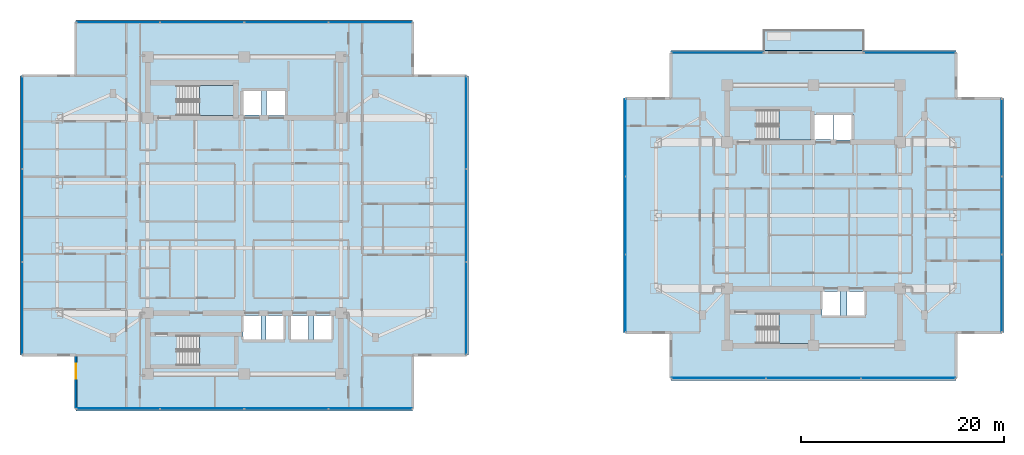
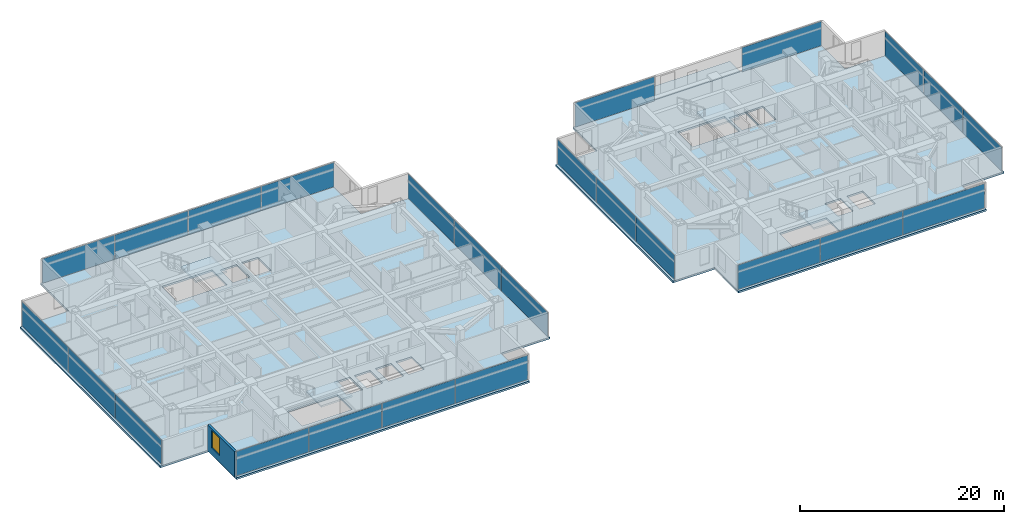
# One storey, part 12 of 24: 25 plates, 7 slabs, 1 wall, 1 window, 1 opening, 13 elements without a shape of their own.
"""IFC4 building model written with IfcOpenShell, lengths in metres."""

from ifc_helpers import new_model, si_unit, direction, frame, frame_2d, origin, origin_2d, place, context, subcontext, project, spatial, polyline, rectangle, outline, extrude, material, layer, layer_set, type_object, element, fill, aggregate, save


model = new_model("IFC4")

# Units and contexts
model_context = context("Model", 3, precision=1e-05, world=origin(), true_north=direction((0.0, 1.0)))
body_context = subcontext(model_context, "Body", "Model", "MODEL_VIEW")
ifc_project = project(units=[si_unit("LENGTHUNIT", "METRE"), si_unit("AREAUNIT", "SQUARE_METRE"), si_unit("VOLUMEUNIT", "CUBIC_METRE"), si_unit("PLANEANGLEUNIT", "RADIAN"), si_unit("MASSUNIT", "GRAM", prefix="KILO")], contexts=[model_context])

# Site, building, storey
site_placement = place(None, origin())
site = spatial("IfcSite", under=ifc_project, at=site_placement, CompositionType="ELEMENT")
building_placement = place(site_placement, origin())
building = spatial("IfcBuilding", under=site, at=building_placement, Name="Mirazonda Arch Towers", CompositionType="ELEMENT")
storey_placement = place(building_placement, frame((0.0, 0.0, 141.199951171875)))
storey = spatial("IfcBuildingStorey", under=building, at=storey_placement, Name="L40", CompositionType="ELEMENT", Elevation=141.199951171875)

# Curtain wall, plates
ifc_material_1 = material(Name="Anodised Aluminium and Low-E Glass", Category="aluminium")
curtain_wall_type = type_object("IfcCurtainWallType", Name="CW-HTL-UNIT", PredefinedType="NOTDEFINED", material=ifc_material_1)
curtain_wall_1_placement = place(storey_placement, origin())
curtain_wall_1 = element("IfcCurtainWall", 1, at=curtain_wall_1_placement, inside=storey, type_object=curtain_wall_type, Name="L40 T1 S Facade CW-L40-T1-S", PredefinedType="NOTDEFINED")
ifc_material_2 = material(Name="Insulated Low-E Solar Glass", Category="glass")
ifc_layer_1 = layer(ifc_material_2, 0.035888671875, Name="PAN-CW-HTL-UNIT")
ifc_layer_set_1 = layer_set([ifc_layer_1], Name="Insulated Low-E Solar Glass")
plate_type = type_object("IfcPlateType", Name="PAN-CW-HTL-UNIT", PredefinedType="CURTAIN_PANEL", material=ifc_layer_set_1)
plate_1_placement = place(storey_placement, frame((32.90869140625, 8.993896484375, 0.0751953125), z_axis=(0.0, 0.0, 1.0), x_axis=(-1.0, 0.0, 0.0)))
plate_1 = element("IfcPlate", 2, at=plate_1_placement, type_object=plate_type, Name="CW-112 panel 1.1", PredefinedType="CURTAIN_PANEL", context=body_context, shape_type="SweptSolid", body=[
    extrude(rectangle(XDim=8.172607421875, YDim=0.035888671875, at=origin_2d()), origin(), (0.0, 0.0, 1.0), 2.909912109375),
])
plate_2_placement = place(storey_placement, frame((24.642578125, 8.993896484375, 0.0751953125), z_axis=(0.0, 0.0, 1.0), x_axis=(-1.0, 0.0, 0.0)))
plate_2 = element("IfcPlate", 3, at=plate_2_placement, type_object=plate_type, Name="CW-112 panel 2.1", PredefinedType="CURTAIN_PANEL", context=body_context, shape_type="SweptSolid", body=[
    extrude(rectangle(XDim=8.2099609375, YDim=0.035888671875, at=origin_2d()), origin(), (0.0, 0.0, 1.0), 2.909912109375),
])
plate_3_placement = place(storey_placement, frame((16.357421875, 8.993896484375, 0.0751953125), z_axis=(0.0, 0.0, 1.0), x_axis=(-1.0, 0.0, 0.0)))
plate_3 = element("IfcPlate", 4, at=plate_3_placement, type_object=plate_type, Name="CW-112 panel 3.1", PredefinedType="CURTAIN_PANEL", context=body_context, shape_type="SweptSolid", body=[
    extrude(rectangle(XDim=8.2099609375, YDim=0.035888671875, at=origin_2d()), origin(), (0.0, 0.0, 1.0), 2.909912109375),
])
plate_4_placement = place(storey_placement, frame((8.09130859375, 8.993896484375, 0.0751953125), z_axis=(0.0, 0.0, 1.0), x_axis=(-1.0, 0.0, 0.0)))
plate_4 = element("IfcPlate", 5, at=plate_4_placement, type_object=plate_type, Name="CW-112 panel 4.1", PredefinedType="CURTAIN_PANEL", context=body_context, shape_type="SweptSolid", body=[
    extrude(rectangle(XDim=8.172607421875, YDim=0.035888671875, at=origin_2d()), origin(), (0.0, 0.0, 1.0), 2.909912109375),
])
aggregate(curtain_wall_1, [plate_1, plate_2, plate_3, plate_4])

curtain_wall_2_placement = place(storey_placement, origin())
curtain_wall_2 = element("IfcCurtainWall", 6, at=curtain_wall_2_placement, inside=storey, type_object=curtain_wall_type, Name="L40 T1 E Facade CW-L40-T1-E", PredefinedType="NOTDEFINED")
plate_5_placement = place(storey_placement, frame((42.340087890625, 18.861328125, 0.0751953125), z_axis=(0.0, 0.0, 1.0), x_axis=(0.0, 1.0, 0.0)))
plate_5 = element("IfcPlate", 7, at=plate_5_placement, type_object=plate_type, Name="CW-112 panel 1.1", PredefinedType="CURTAIN_PANEL", context=body_context, shape_type="SweptSolid", body=[
    extrude(rectangle(XDim=9.044921875, YDim=0.035888671875, at=origin_2d()), origin(), (0.0, 0.0, 1.0), 2.909912109375),
])
plate_6_placement = place(storey_placement, frame((42.340087890625, 28.0, 0.0751953125), z_axis=(0.0, 0.0, 1.0), x_axis=(0.0, 1.0, 0.0)))
plate_6 = element("IfcPlate", 8, at=plate_6_placement, type_object=plate_type, Name="CW-112 panel 2.1", PredefinedType="CURTAIN_PANEL", context=body_context, shape_type="SweptSolid", body=[
    extrude(rectangle(XDim=9.082275390625, YDim=0.035888671875, at=origin_2d()), origin(), (0.0, 0.0, 1.0), 2.909912109375),
])
plate_7_placement = place(storey_placement, frame((42.340087890625, 37.138671875, 0.0751953125), z_axis=(0.0, 0.0, 1.0), x_axis=(0.0, 1.0, 0.0)))
plate_7 = element("IfcPlate", 9, at=plate_7_placement, type_object=plate_type, Name="CW-112 panel 3.1", PredefinedType="CURTAIN_PANEL", context=body_context, shape_type="SweptSolid", body=[
    extrude(rectangle(XDim=9.044921875, YDim=0.035888671875, at=origin_2d()), origin(), (0.0, 0.0, 1.0), 2.909912109375),
])
aggregate(curtain_wall_2, [plate_5, plate_6, plate_7])

curtain_wall_3_placement = place(storey_placement, origin())
curtain_wall_3 = element("IfcCurtainWall", 10, at=curtain_wall_3_placement, inside=storey, type_object=curtain_wall_type, Name="L40 T1 N Facade CW-L40-T1-N", PredefinedType="NOTDEFINED")
plate_8_placement = place(storey_placement, frame((8.09130859375, 47.006103515625, 0.0751953125), z_axis=(0.0, 0.0, 1.0), x_axis=(1.0, 0.0, 0.0)))
plate_8 = element("IfcPlate", 11, at=plate_8_placement, type_object=plate_type, Name="CW-112 panel 1.1", PredefinedType="CURTAIN_PANEL", context=body_context, shape_type="SweptSolid", body=[
    extrude(rectangle(XDim=8.172607421875, YDim=0.035888671875, at=origin_2d()), origin(), (0.0, 0.0, 1.0), 2.909912109375),
])
plate_9_placement = place(storey_placement, frame((16.357421875, 47.006103515625, 0.0751953125), z_axis=(0.0, 0.0, 1.0), x_axis=(1.0, 0.0, 0.0)))
plate_9 = element("IfcPlate", 12, at=plate_9_placement, type_object=plate_type, Name="CW-112 panel 2.1", PredefinedType="CURTAIN_PANEL", context=body_context, shape_type="SweptSolid", body=[
    extrude(rectangle(XDim=8.2099609375, YDim=0.035888671875, at=origin_2d()), origin(), (0.0, 0.0, 1.0), 2.909912109375),
])
plate_10_placement = place(storey_placement, frame((24.642578125, 47.006103515625, 0.0751953125), z_axis=(0.0, 0.0, 1.0), x_axis=(1.0, 0.0, 0.0)))
plate_10 = element("IfcPlate", 13, at=plate_10_placement, type_object=plate_type, Name="CW-112 panel 3.1", PredefinedType="CURTAIN_PANEL", context=body_context, shape_type="SweptSolid", body=[
    extrude(rectangle(XDim=8.2099609375, YDim=0.035888671875, at=origin_2d()), origin(), (0.0, 0.0, 1.0), 2.909912109375),
])
plate_11_placement = place(storey_placement, frame((32.90869140625, 47.006103515625, 0.0751953125), z_axis=(0.0, 0.0, 1.0), x_axis=(1.0, 0.0, 0.0)))
plate_11 = element("IfcPlate", 14, at=plate_11_placement, type_object=plate_type, Name="CW-112 panel 4.1", PredefinedType="CURTAIN_PANEL", context=body_context, shape_type="SweptSolid", body=[
    extrude(rectangle(XDim=8.172607421875, YDim=0.035888671875, at=origin_2d()), origin(), (0.0, 0.0, 1.0), 2.909912109375),
])
aggregate(curtain_wall_3, [plate_8, plate_9, plate_10, plate_11])

curtain_wall_4_placement = place(storey_placement, origin())
curtain_wall_4 = element("IfcCurtainWall", 15, at=curtain_wall_4_placement, inside=storey, type_object=curtain_wall_type, Name="L40 T1 W Facade CW-L40-T1-W", PredefinedType="NOTDEFINED")
plate_12_placement = place(storey_placement, frame((-1.340087890625, 37.138671875, 0.0751953125), z_axis=(0.0, 0.0, 1.0), x_axis=(0.0, -1.0, 0.0)))
plate_12 = element("IfcPlate", 16, at=plate_12_placement, type_object=plate_type, Name="CW-112 panel 1.1", PredefinedType="CURTAIN_PANEL", context=body_context, shape_type="SweptSolid", body=[
    extrude(rectangle(XDim=9.044921875, YDim=0.035888671875, at=origin_2d()), origin(), (0.0, 0.0, 1.0), 2.909912109375),
])
plate_13_placement = place(storey_placement, frame((-1.340087890625, 28.0, 0.0751953125), z_axis=(0.0, 0.0, 1.0), x_axis=(0.0, -1.0, 0.0)))
plate_13 = element("IfcPlate", 17, at=plate_13_placement, type_object=plate_type, Name="CW-112 panel 2.1", PredefinedType="CURTAIN_PANEL", context=body_context, shape_type="SweptSolid", body=[
    extrude(rectangle(XDim=9.082275390625, YDim=0.035888671875, at=origin_2d()), origin(), (0.0, 0.0, 1.0), 2.909912109375),
])
plate_14_placement = place(storey_placement, frame((-1.340087890625, 18.861328125, 0.0751953125), z_axis=(0.0, 0.0, 1.0), x_axis=(0.0, -1.0, 0.0)))
plate_14 = element("IfcPlate", 18, at=plate_14_placement, type_object=plate_type, Name="CW-112 panel 3.1", PredefinedType="CURTAIN_PANEL", context=body_context, shape_type="SweptSolid", body=[
    extrude(rectangle(XDim=9.044921875, YDim=0.035888671875, at=origin_2d()), origin(), (0.0, 0.0, 1.0), 2.909912109375),
])
aggregate(curtain_wall_4, [plate_12, plate_13, plate_14])

curtain_wall_5_placement = place(storey_placement, origin())
curtain_wall_5 = element("IfcCurtainWall", 19, at=curtain_wall_5_placement, inside=storey, type_object=curtain_wall_type, Name="L40 T2 S Facade CW-L40-T2-S", PredefinedType="NOTDEFINED")
plate_15_placement = place(storey_placement, frame((85.830810546875, 11.997802734375, 0.0751953125), z_axis=(0.0, 0.0, 1.0), x_axis=(-1.0, 0.0, 0.0)))
plate_15 = element("IfcPlate", 20, at=plate_15_placement, type_object=plate_type, Name="CW-112 panel 1.1", PredefinedType="CURTAIN_PANEL", context=body_context, shape_type="SweptSolid", body=[
    extrude(rectangle(XDim=9.237060546875, YDim=0.035888671875, at=origin_2d()), origin(), (0.0, 0.0, 1.0), 2.909912109375),
])
plate_16_placement = place(storey_placement, frame((76.5, 11.997802734375, 0.0751953125), z_axis=(0.0, 0.0, 1.0), x_axis=(-1.0, 0.0, 0.0)))
plate_16 = element("IfcPlate", 21, at=plate_16_placement, type_object=plate_type, Name="CW-112 panel 2.1", PredefinedType="CURTAIN_PANEL", context=body_context, shape_type="SweptSolid", body=[
    extrude(rectangle(XDim=9.274658203125, YDim=0.035888671875, at=origin_2d()), origin(), (0.0, 0.0, 1.0), 2.909912109375),
])
plate_17_placement = place(storey_placement, frame((67.169189453125, 11.997802734375, 0.0751953125), z_axis=(0.0, 0.0, 1.0), x_axis=(-1.0, 0.0, 0.0)))
plate_17 = element("IfcPlate", 22, at=plate_17_placement, type_object=plate_type, Name="CW-112 panel 3.1", PredefinedType="CURTAIN_PANEL", context=body_context, shape_type="SweptSolid", body=[
    extrude(rectangle(XDim=9.237060546875, YDim=0.035888671875, at=origin_2d()), origin(), (0.0, 0.0, 1.0), 2.909912109375),
])
aggregate(curtain_wall_5, [plate_15, plate_16, plate_17])

curtain_wall_6_placement = place(storey_placement, origin())
curtain_wall_6 = element("IfcCurtainWall", 23, at=curtain_wall_6_placement, inside=storey, type_object=curtain_wall_type, Name="L40 T2 E Facade CW-L40-T2-E", PredefinedType="NOTDEFINED")
plate_18_placement = place(storey_placement, frame((95.010986328125, 20.341796875, 0.0751953125), z_axis=(0.0, 0.0, 1.0), x_axis=(0.0, 1.0, 0.0)))
plate_18 = element("IfcPlate", 24, at=plate_18_placement, type_object=plate_type, Name="CW-112 panel 1.1", PredefinedType="CURTAIN_PANEL", context=body_context, shape_type="SweptSolid", body=[
    extrude(rectangle(XDim=7.564453125, YDim=0.035888671875, at=origin_2d()), origin(), (0.0, 0.0, 1.0), 2.909912109375),
])
plate_19_placement = place(storey_placement, frame((95.010986328125, 28.0, 0.0751953125), z_axis=(0.0, 0.0, 1.0), x_axis=(0.0, 1.0, 0.0)))
plate_19 = element("IfcPlate", 25, at=plate_19_placement, type_object=plate_type, Name="CW-112 panel 2.1", PredefinedType="CURTAIN_PANEL", context=body_context, shape_type="SweptSolid", body=[
    extrude(rectangle(XDim=7.60205078125, YDim=0.035888671875, at=origin_2d()), origin(), (0.0, 0.0, 1.0), 2.909912109375),
])
plate_20_placement = place(storey_placement, frame((95.010986328125, 35.658203125, 0.0751953125), z_axis=(0.0, 0.0, 1.0), x_axis=(0.0, 1.0, 0.0)))
plate_20 = element("IfcPlate", 26, at=plate_20_placement, type_object=plate_type, Name="CW-112 panel 3.1", PredefinedType="CURTAIN_PANEL", context=body_context, shape_type="SweptSolid", body=[
    extrude(rectangle(XDim=7.564453125, YDim=0.035888671875, at=origin_2d()), origin(), (0.0, 0.0, 1.0), 2.909912109375),
])
aggregate(curtain_wall_6, [plate_18, plate_19, plate_20])

# Curtain wall, plate
curtain_wall_7_placement = place(storey_placement, origin())
curtain_wall_7 = element("IfcCurtainWall", 27, at=curtain_wall_7_placement, inside=storey, type_object=curtain_wall_type, Name="L40 Curtain Wall CW-L40-T2-NA", PredefinedType="NOTDEFINED")
plate_21_placement = place(storey_placement, frame((67.042724609375, 44.002197265625, 0.0751953125), z_axis=(0.0, 0.0, 1.0), x_axis=(1.0, 0.0, 0.0)))
plate_21 = element("IfcPlate", 28, at=plate_21_placement, type_object=plate_type, Name="CW-112 panel 1.1", PredefinedType="CURTAIN_PANEL", context=body_context, shape_type="SweptSolid", body=[
    extrude(rectangle(XDim=8.984619140625, YDim=0.035888671875, at=origin_2d()), origin(), (0.0, 0.0, 1.0), 2.909912109375),
])
aggregate(curtain_wall_7, [plate_21])

curtain_wall_8_placement = place(storey_placement, origin())
curtain_wall_8 = element("IfcCurtainWall", 29, at=curtain_wall_8_placement, inside=storey, type_object=curtain_wall_type, Name="L40 Curtain Wall CW-L40-T2-NB", PredefinedType="NOTDEFINED")
plate_22_placement = place(storey_placement, frame((85.957275390625, 44.002197265625, 0.0751953125), z_axis=(0.0, 0.0, 1.0), x_axis=(1.0, 0.0, 0.0)))
plate_22 = element("IfcPlate", 30, at=plate_22_placement, type_object=plate_type, Name="CW-112 panel 1.1", PredefinedType="CURTAIN_PANEL", context=body_context, shape_type="SweptSolid", body=[
    extrude(rectangle(XDim=8.984619140625, YDim=0.035888671875, at=origin_2d()), origin(), (0.0, 0.0, 1.0), 2.909912109375),
])
aggregate(curtain_wall_8, [plate_22])

# Curtain wall, plates
curtain_wall_9_placement = place(storey_placement, origin())
curtain_wall_9 = element("IfcCurtainWall", 31, at=curtain_wall_9_placement, inside=storey, type_object=curtain_wall_type, Name="L40 T2 W Facade CW-L40-T2-W", PredefinedType="NOTDEFINED")
plate_23_placement = place(storey_placement, frame((57.989013671875, 35.658203125, 0.0751953125), z_axis=(0.0, 0.0, 1.0), x_axis=(0.0, -1.0, 0.0)))
plate_23 = element("IfcPlate", 32, at=plate_23_placement, type_object=plate_type, Name="CW-112 panel 1.1", PredefinedType="CURTAIN_PANEL", context=body_context, shape_type="SweptSolid", body=[
    extrude(rectangle(XDim=7.564453125, YDim=0.035888671875, at=origin_2d()), origin(), (0.0, 0.0, 1.0), 2.909912109375),
])
plate_24_placement = place(storey_placement, frame((57.989013671875, 28.0, 0.0751953125), z_axis=(0.0, 0.0, 1.0), x_axis=(0.0, -1.0, 0.0)))
plate_24 = element("IfcPlate", 33, at=plate_24_placement, type_object=plate_type, Name="CW-112 panel 2.1", PredefinedType="CURTAIN_PANEL", context=body_context, shape_type="SweptSolid", body=[
    extrude(rectangle(XDim=7.60205078125, YDim=0.035888671875, at=origin_2d()), origin(), (0.0, 0.0, 1.0), 2.909912109375),
])
plate_25_placement = place(storey_placement, frame((57.989013671875, 20.341796875, 0.0751953125), z_axis=(0.0, 0.0, 1.0), x_axis=(0.0, -1.0, 0.0)))
plate_25 = element("IfcPlate", 34, at=plate_25_placement, type_object=plate_type, Name="CW-112 panel 3.1", PredefinedType="CURTAIN_PANEL", context=body_context, shape_type="SweptSolid", body=[
    extrude(rectangle(XDim=7.564453125, YDim=0.035888671875, at=origin_2d()), origin(), (0.0, 0.0, 1.0), 2.909912109375),
])
aggregate(curtain_wall_9, [plate_23, plate_24, plate_25])

# Stair, slab
ifc_material_3 = material(Name="Concrete C40/50", Category="concrete")
stair_type = type_object("IfcStairType", Name="STAIR-CORE-1400", PredefinedType="HALF_TURN_STAIR", material=ifc_material_3)
stair_1_placement = place(storey_placement, origin())
stair_1 = element("IfcStair", 35, at=stair_1_placement, inside=storey, type_object=stair_type, Name="L40 Protected Exit Stair ST-T1N", PredefinedType="HALF_TURN_STAIR")
ifc_layer_2 = layer(ifc_material_3, 0.18994140625, Name="SLAB-LANDING-190")
ifc_layer_set_2 = layer_set([ifc_layer_2], Name="Concrete C40/50")
slab_type_1 = type_object("IfcSlabType", Name="SLAB-LANDING-190", PredefinedType="LANDING", material=ifc_layer_set_2)
slab_1_placement = place(storey_placement, frame((0.0, 0.0, 1.449951171875)))
slab_1 = element("IfcSlab", 36, at=slab_1_placement, type_object=slab_type_1, Name="ST-T1N landing 1", PredefinedType="LANDING", context=body_context, shape_type="SweptSolid", body=[
    extrude(outline(polyline([(16.090087890625, 37.820068359375), (19.60009765625, 37.820068359375), (19.60009765625, 40.760009765625), (16.090087890625, 40.760009765625), (16.090087890625, 37.820068359375)])), origin(), (0.0, 0.0, 1.0), 0.2001953125),
])
aggregate(stair_1, [slab_1])

stair_2_placement = place(storey_placement, origin())
stair_2 = element("IfcStair", 37, at=stair_2_placement, inside=storey, type_object=stair_type, Name="L40 Protected Exit Stair ST-T1S", PredefinedType="HALF_TURN_STAIR")
slab_2_placement = place(storey_placement, frame((0.0, 0.0, 1.449951171875)))
slab_2 = element("IfcSlab", 38, at=slab_2_placement, type_object=slab_type_1, Name="ST-T1S landing 1", PredefinedType="LANDING", context=body_context, shape_type="SweptSolid", body=[
    extrude(outline(polyline([(16.090087890625, 13.25), (19.60009765625, 13.25), (19.60009765625, 16.18994140625), (16.090087890625, 16.18994140625), (16.090087890625, 13.25)])), origin(), (0.0, 0.0, 1.0), 0.2001953125),
])
aggregate(stair_2, [slab_2])

stair_3_placement = place(storey_placement, origin())
stair_3 = element("IfcStair", 39, at=stair_3_placement, inside=storey, type_object=stair_type, Name="L40 Protected Exit Stair ST-T2N", PredefinedType="HALF_TURN_STAIR")
slab_3_placement = place(storey_placement, frame((0.0, 0.0, 1.449951171875)))
slab_3 = element("IfcSlab", 40, at=slab_3_placement, type_object=slab_type_1, Name="ST-T2N landing 1", PredefinedType="LANDING", context=body_context, shape_type="SweptSolid", body=[
    extrude(outline(polyline([(73.090087890625, 35.419921875), (76.22998046875, 35.419921875), (76.22998046875, 38.360107421875), (73.090087890625, 38.360107421875), (73.090087890625, 35.419921875)])), origin(), (0.0, 0.0, 1.0), 0.2001953125),
])
aggregate(stair_3, [slab_3])

stair_4_placement = place(storey_placement, origin())
stair_4 = element("IfcStair", 41, at=stair_4_placement, inside=storey, type_object=stair_type, Name="L40 Protected Exit Stair ST-T2S", PredefinedType="HALF_TURN_STAIR")
slab_4_placement = place(storey_placement, frame((0.0, 0.0, 1.449951171875)))
slab_4 = element("IfcSlab", 42, at=slab_4_placement, type_object=slab_type_1, Name="ST-T2S landing 1", PredefinedType="LANDING", context=body_context, shape_type="SweptSolid", body=[
    extrude(outline(polyline([(73.090087890625, 15.419921875), (76.22998046875, 15.419921875), (76.22998046875, 18.360107421875), (73.090087890625, 18.360107421875), (73.090087890625, 15.419921875)])), origin(), (0.0, 0.0, 1.0), 0.2001953125),
])
aggregate(stair_4, [slab_4])

# Slabs
ifc_layer_3 = layer(ifc_material_3, 0.2099609375, Name="SLAB-TERRACE-210")
ifc_layer_set_3 = layer_set([ifc_layer_3], Name="Concrete C40/50")
slab_type_2 = type_object("IfcSlabType", Name="SLAB-TERRACE-210", PredefinedType="FLOOR", material=ifc_layer_set_3)
slab_5_placement = place(storey_placement, frame((0.0, 0.0, -0.2099609375)))
element("IfcSlab", 43, at=slab_5_placement, inside=storey, type_object=slab_type_2, Name="L40 T2 Spiralling Sky-Terrace Balcony Slab", PredefinedType="FLOOR", context=body_context, shape_type="SweptSolid", body=[
    extrude(outline(polyline([(71.60009765625, 44.212158203125), (81.39990234375, 44.212158203125), (81.39990234375, 46.272216796875), (71.60009765625, 46.272216796875), (71.60009765625, 44.212158203125)])), origin(), (0.0, 0.0, 1.0), 0.2099609375),
])
ifc_layer_4 = layer(ifc_material_3, 0.219970703125, Name="SLAB-TWR-220")
ifc_layer_set_4 = layer_set([ifc_layer_4], Name="Concrete C40/50")
slab_type_3 = type_object("IfcSlabType", Name="SLAB-TWR-220", PredefinedType="FLOOR", material=ifc_layer_set_4)
slab_6_placement = place(storey_placement, frame((0.0, 0.0, -0.219970703125)))
element("IfcSlab", 44, at=slab_6_placement, inside=storey, type_object=slab_type_3, Name="L40 Tower 1 Floor Slab", PredefinedType="FLOOR", context=body_context, shape_type="SweptSolid", body=[
    extrude(outline(polyline([(3.929931640625, 8.77392578125), (37.070068359375, 8.77392578125), (37.070068359375, 14.263916015625), (42.56005859375, 14.263916015625), (42.56005859375, 41.736083984375), (37.070068359375, 41.736083984375), (37.070068359375, 47.22607421875), (3.929931640625, 47.22607421875), (3.929931640625, 41.736083984375), (-1.56005859375, 41.736083984375), (-1.56005859375, 14.263916015625), (3.929931640625, 14.263916015625), (3.929931640625, 8.77392578125)]), holes=[polyline([(27.360107421875, 18.139892578125), (29.139892578125, 18.139892578125), (29.139892578125, 15.659912109375), (27.360107421875, 15.659912109375), (27.360107421875, 18.139892578125)]), polyline([(25.06005859375, 18.139892578125), (26.840087890625, 18.139892578125), (26.840087890625, 15.659912109375), (25.06005859375, 15.659912109375), (25.06005859375, 18.139892578125)]), polyline([(22.7099609375, 40.389892578125), (24.590087890625, 40.389892578125), (24.590087890625, 37.81005859375), (22.7099609375, 37.81005859375), (22.7099609375, 40.389892578125)]), polyline([(22.659912109375, 18.139892578125), (24.43994140625, 18.139892578125), (24.43994140625, 15.659912109375), (22.659912109375, 15.659912109375), (22.659912109375, 18.139892578125)]), polyline([(20.31005859375, 40.340087890625), (22.18994140625, 40.340087890625), (22.18994140625, 37.860107421875), (20.31005859375, 37.860107421875), (20.31005859375, 40.340087890625)]), polyline([(20.360107421875, 18.139892578125), (22.139892578125, 18.139892578125), (22.139892578125, 15.659912109375), (20.360107421875, 15.659912109375), (20.360107421875, 18.139892578125)]), polyline([(13.925048828125, 13.25), (13.925048828125, 16.18994140625), (19.60009765625, 16.18994140625), (19.60009765625, 13.25), (13.925048828125, 13.25)]), polyline([(13.925048828125, 37.820068359375), (13.925048828125, 40.760009765625), (19.60009765625, 40.760009765625), (19.60009765625, 37.820068359375), (13.925048828125, 37.820068359375)])]), origin(), (0.0, 0.0, 1.0), 0.219970703125),
])
slab_7_placement = place(storey_placement, frame((0.0, 0.0, -0.219970703125)))
element("IfcSlab", 45, at=slab_7_placement, inside=storey, type_object=slab_type_3, Name="L40 Tower 2 Floor Slab", PredefinedType="FLOOR", context=body_context, shape_type="SweptSolid", body=[
    extrude(outline(polyline([(62.4755859375, 11.77783203125), (90.5244140625, 11.77783203125), (90.5244140625, 16.484375), (95.23095703125, 16.484375), (95.23095703125, 39.515625), (90.5244140625, 39.515625), (90.5244140625, 44.22216796875), (62.4755859375, 44.22216796875), (62.4755859375, 39.515625), (57.76904296875, 39.515625), (57.76904296875, 16.484375), (62.4755859375, 16.484375), (62.4755859375, 11.77783203125)]), holes=[polyline([(79.81005859375, 20.5400390625), (81.590087890625, 20.5400390625), (81.590087890625, 18.06005859375), (79.81005859375, 18.06005859375), (79.81005859375, 20.5400390625)]), polyline([(78.47998046875, 37.989990234375), (80.360107421875, 37.989990234375), (80.360107421875, 35.409912109375), (78.47998046875, 35.409912109375), (78.47998046875, 37.989990234375)]), polyline([(77.31005859375, 20.5400390625), (79.090087890625, 20.5400390625), (79.090087890625, 18.06005859375), (77.31005859375, 18.06005859375), (77.31005859375, 20.5400390625)]), polyline([(76.510009765625, 35.4599609375), (76.510009765625, 37.93994140625), (78.389892578125, 37.93994140625), (78.389892578125, 35.4599609375), (76.510009765625, 35.4599609375)]), polyline([(76.22998046875, 15.419921875), (70.925048828125, 15.419921875), (70.925048828125, 18.360107421875), (76.22998046875, 18.360107421875), (76.22998046875, 15.419921875)]), polyline([(70.925048828125, 35.419921875), (70.925048828125, 38.360107421875), (76.22998046875, 38.360107421875), (76.22998046875, 35.419921875), (70.925048828125, 35.419921875)])]), origin(), (0.0, 0.0, 1.0), 0.219970703125),
])

# Wall, opening, window
ifc_material_4 = material(Name="Precast Concrete C40/50", Category="concrete")
ifc_layer_5 = layer(ifc_material_4, 0.280029296875, Name="WALL-EXT-WALL-280")
ifc_layer_set_5 = layer_set([ifc_layer_5], Name="Precast Concrete C40/50")
wall_type = type_object("IfcWallType", Name="WALL-EXT-WALL-280", PredefinedType="SOLIDWALL", material=ifc_layer_set_5)
wall_placement = place(storey_placement, frame((3.929931640625, 14.263916015625, 0.0), z_axis=(0.0, 0.0, 1.0), x_axis=(0.0, -1.0, 0.0)))
wall = element("IfcWall", 46, at=wall_placement, inside=storey, type_object=wall_type, Name="L40 T1 Notched SW Corner Wall WL-L40-T1-CSW", PredefinedType="SOLIDWALL", context=body_context, shape_type="SweptSolid", body=[
    extrude(rectangle(XDim=5.27001953125, YDim=0.280029296875, at=frame_2d((2.635009765625, 0.0))), origin(), (0.0, 0.0, 1.0), 3.06005859375),
])
opening_placement = place(wall_placement, frame((0.85009765625, 0.0, 0.81005859375)))
opening = element("IfcOpeningElement", 47, at=opening_placement, cuts=wall, Name="Opening WN-120", PredefinedType="OPENING", context=body_context, shape_type="SweptSolid", body=[
    extrude(rectangle(XDim=1.5, YDim=2.10009765625, at=frame_2d((0.75, 1.050048828125))), frame((0.0, 0.14990234375, 0.0), z_axis=(0.0, -1.0, 0.0), x_axis=(1.0, 0.0, 0.0)), (0.0, 0.0, 1.0), 0.300048828125),
])
window_type = type_object("IfcWindowType", Name="WIN-HTL-1500x2100", PartitioningType="SINGLE_PANEL", PredefinedType="WINDOW", material=ifc_material_2)
window_placement = place(opening_placement, origin())
window = element("IfcWindow", 48, at=window_placement, inside=storey, type_object=window_type, Name="L40 Punched Facade Window WN-L40-T1-CSW", OverallHeight=2.10009765625, OverallWidth=1.5, PartitioningType="SINGLE_PANEL", PredefinedType="WINDOW", context=body_context, shape_type="SweptSolid", body=[
    extrude(rectangle(XDim=1.5, YDim=2.10009765625, at=frame_2d((0.75, 1.050048828125))), frame((0.0, 0.030029296875, 0.0), z_axis=(0.0, -1.0, 0.0), x_axis=(1.0, 0.0, 0.0)), (0.0, 0.0, 1.0), 0.06005859375),
])
fill(opening, window)

save(model, "model.ifc")
